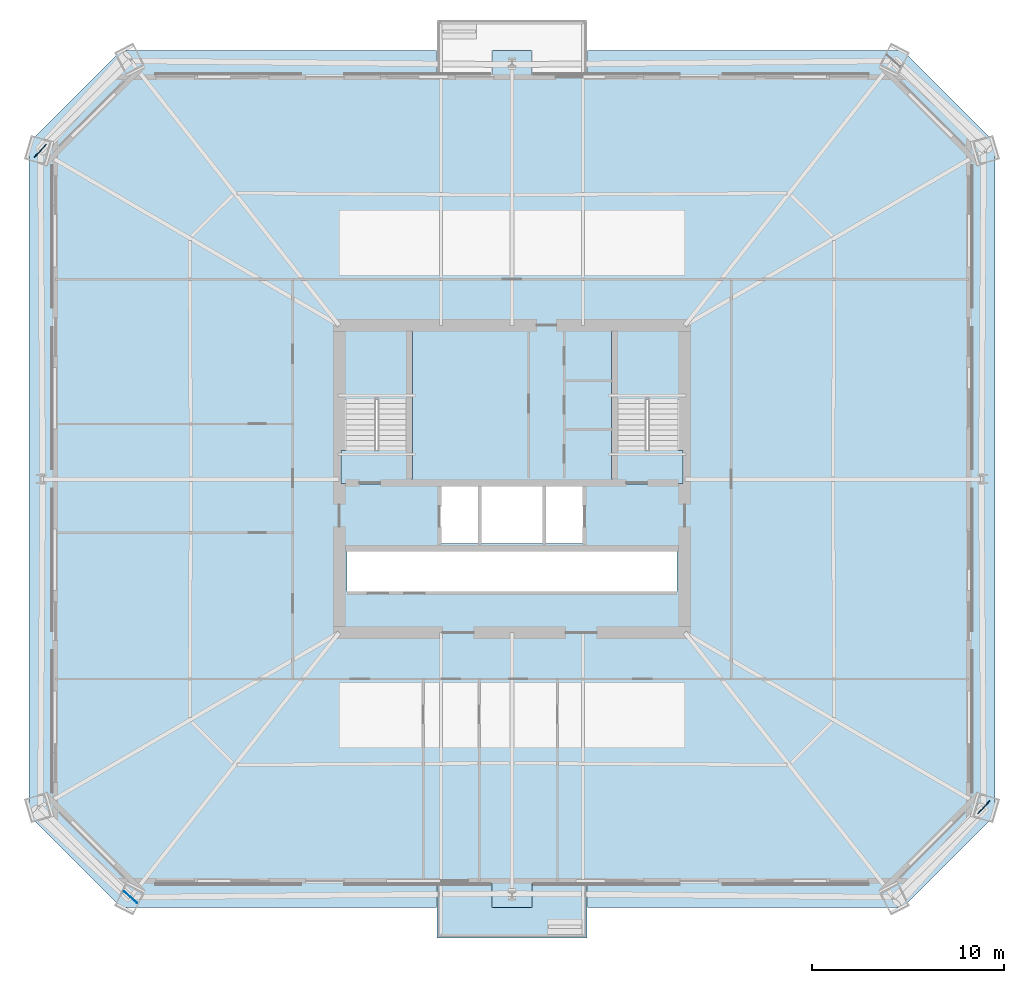
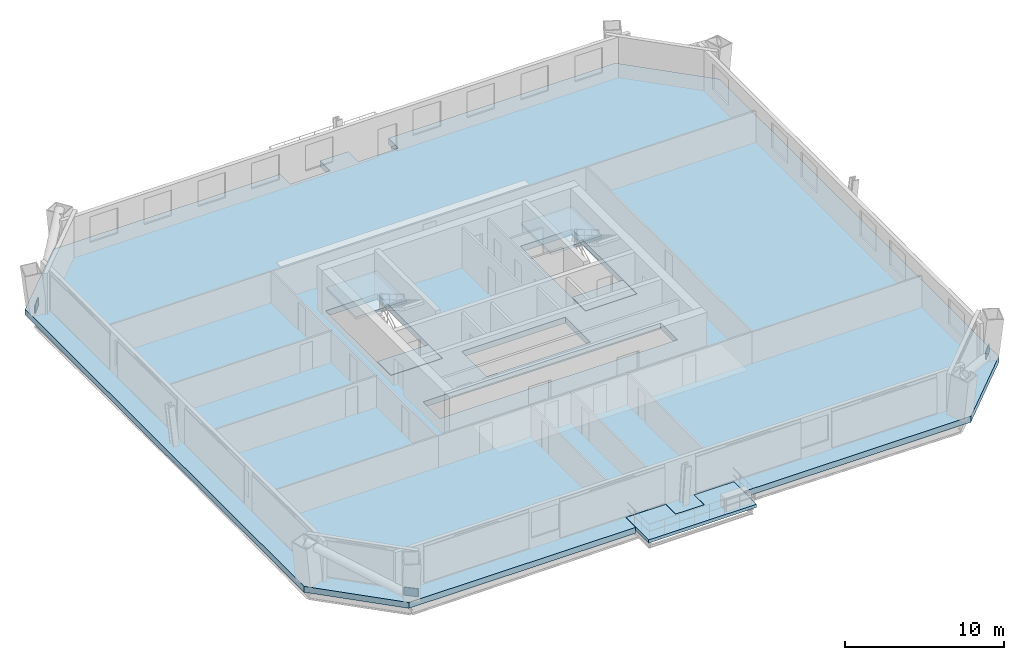
# One storey, part 2 of 8: 6 slabs, 3 plates, 2 elements without a shape of their own.
"""IFC4 building model written with IfcOpenShell, lengths in metres."""

from ifc_helpers import new_model, si_unit, direction, frame, origin, origin_2d, place, context, subcontext, project, spatial, polyline, rectangle, outline, extrude, material, layer, layer_set, type_object, element, aggregate, save


model = new_model("IFC4")

# Units and contexts
model_context = context("Model", 3, precision=1e-05, world=origin(), true_north=direction((0.0, 1.0)))
body_context = subcontext(model_context, "Body", "Model", "MODEL_VIEW")
ifc_project = project(units=[si_unit("LENGTHUNIT", "METRE"), si_unit("AREAUNIT", "SQUARE_METRE"), si_unit("VOLUMEUNIT", "CUBIC_METRE"), si_unit("PLANEANGLEUNIT", "RADIAN"), si_unit("MASSUNIT", "GRAM", prefix="KILO")], contexts=[model_context])

# Site, building, storey
site_placement = place(None, origin())
site = spatial("IfcSite", under=ifc_project, at=site_placement, CompositionType="ELEMENT")
building_placement = place(site_placement, origin())
building = spatial("IfcBuilding", under=site, at=building_placement, Name="Caelvoria Tower", CompositionType="ELEMENT")
storey_placement = place(building_placement, frame((0.0, 0.0, 46.0)))
storey = spatial("IfcBuildingStorey", under=building, at=storey_placement, Name="L11", CompositionType="ELEMENT", Elevation=46.0)

# Plates
ifc_material_1 = material(Name="Structural Steel ASTM A572 Gr.50", Category="steel")
ifc_layer_1 = layer(ifc_material_1, 0.0400390625, Name="Structural Steel ASTM A572 Gr.50")
ifc_layer_set_1 = layer_set([ifc_layer_1], Name="Megaframe Node Gusset Plate 900x600x40 - Structural Steel ASTM A572 Gr.50")
plate_type = type_object("IfcPlateType", Name="Megaframe Node Gusset Plate 900x600x40", PredefinedType="USERDEFINED", material=ifc_layer_set_1)
for number, where, z_axis, x_axis, name in (
    (1, (70.55908203125, 14.9111328125, 0.02001953125), (0.0, 0.0, 1.0), (-0.674080675398, -0.738657730654, 0.0), "Chamfer Mega Brace Gusset L11 SE"),
    (2, (21.44091796875, 49.0888671875, 0.02001953125), (0.0, 0.0, 1.0), (0.674080675398, 0.738657730654, 0.0), "Chamfer Mega Brace Gusset L11 NW"),
    (3, (26.13525390625, 10.231689453125, 0.02001953125), (0.0, 0.0, 1.0), (-0.740456301818, 0.672104504596, 0.0), "Chamfer Mega Brace Gusset L11 SW"),
):
    element("IfcPlate", number, at=place(storey_placement, frame(where, z_axis=z_axis, x_axis=x_axis)), inside=storey, type_object=plate_type, Name=name, ObjectType="GUSSET_PLATE", PredefinedType="USERDEFINED", context=body_context, shape_type="SweptSolid", body=[
        extrude(rectangle(XDim=0.89990234375, YDim=0.0400390625, at=origin_2d()), origin(), (0.0, 0.0, 1.0), 0.60009765625),
    ])

# Slab
ifc_material_2 = material(Name="Concrete C50/60", Category="concrete")
ifc_layer_2 = layer(ifc_material_2, 0.449951171875, Name="Concrete C50/60")
ifc_layer_set_2 = layer_set([ifc_layer_2], Name="Podium Transfer Deck Slab 450 - Concrete C50/60")
slab_type_1 = type_object("IfcSlabType", Name="Podium Transfer Deck Slab 450", PredefinedType="FLOOR", material=ifc_layer_set_2)
slab_1_placement = place(storey_placement, frame((0.0, 0.0, -0.449951171875)))
element("IfcSlab", 4, at=slab_1_placement, inside=storey, type_object=slab_type_1, Name="Level L11 Structural Floor Slab", PredefinedType="FLOOR", context=body_context, shape_type="SweptSolid", body=[
    extrude(outline(polyline([(20.85009765625, 49.5), (20.85009765625, 14.5), (25.64990234375, 9.699951171875), (42.080078125, 9.699951171875), (42.080078125, 10.9599609375), (44.97998046875, 10.9599609375), (44.97998046875, 9.699951171875), (47.02001953125, 9.699951171875), (47.02001953125, 10.9599609375), (49.919921875, 10.9599609375), (49.919921875, 9.699951171875), (66.35009765625, 9.699951171875), (71.14990234375, 14.5), (71.14990234375, 49.5), (66.35009765625, 54.300048828125), (49.919921875, 54.300048828125), (49.919921875, 53.0400390625), (47.02001953125, 53.0400390625), (47.02001953125, 54.300048828125), (44.97998046875, 54.300048828125), (44.97998046875, 53.0400390625), (42.080078125, 53.0400390625), (42.080078125, 54.300048828125), (25.64990234375, 54.300048828125), (20.85009765625, 49.5)]), holes=[polyline([(37.080078125, 31.75), (40.820068359375, 31.75), (40.820068359375, 39.919921875), (37.080078125, 39.919921875), (37.080078125, 31.75)]), polyline([(51.179931640625, 31.75), (54.919921875, 31.75), (54.919921875, 39.919921875), (51.179931640625, 39.919921875), (51.179931640625, 31.75)]), polyline([(42.25, 28.64990234375), (49.75, 28.64990234375), (49.75, 31.800048828125), (42.25, 31.800048828125), (42.25, 28.64990234375)]), polyline([(37.39990234375, 26.14990234375), (54.60009765625, 26.14990234375), (54.60009765625, 28.25), (37.39990234375, 28.25), (37.39990234375, 26.14990234375)])]), origin(), (0.0, 0.0, 1.0), 0.449951171875),
])

# Stair, slabs
ifc_material_3 = material(Name="Concrete C40/50", Category="concrete")
stair_type = type_object("IfcStairType", Name="Core Smokeproof Dogleg Stair Concrete C40/50", PredefinedType="HALF_TURN_STAIR", material=ifc_material_3)
stair_1_placement = place(storey_placement, origin())
stair_1 = element("IfcStair", 5, at=stair_1_placement, inside=storey, type_object=stair_type, Name="ST-01 Smokeproof Exit Stair L11", PredefinedType="HALF_TURN_STAIR")
ifc_layer_3 = layer(ifc_material_3, 0.199951171875, Name="Concrete C40/50")
ifc_layer_set_3 = layer_set([ifc_layer_3], Name="Stair Half and Floor Landing Slab 200 Concrete C40/50 - Concrete C40/50")
slab_type_2 = type_object("IfcSlabType", Name="Stair Half and Floor Landing Slab 200 Concrete C40/50", PredefinedType="LANDING", material=ifc_layer_set_3)
slab_2_placement = place(storey_placement, frame((0.0, 0.0, -0.199951171875)))
slab_2 = element("IfcSlab", 6, at=slab_2_placement, type_object=slab_type_2, Name="ST-01 landing 1", PredefinedType="LANDING", context=body_context, shape_type="SweptSolid", body=[
    extrude(outline(polyline([(37.10009765625, 31.77001953125), (40.800048828125, 31.77001953125), (40.800048828125, 33.5), (37.10009765625, 33.5), (37.10009765625, 31.77001953125)])), origin(), (0.0, 0.0, 1.0), 0.199951171875),
])
slab_3_placement = place(storey_placement, frame((0.0, 0.0, 1.60009765625)))
slab_3 = element("IfcSlab", 7, at=slab_3_placement, type_object=slab_type_2, Name="ST-01 landing 2", PredefinedType="LANDING", context=body_context, shape_type="SweptSolid", body=[
    extrude(outline(polyline([(37.10009765625, 36.14990234375), (40.800048828125, 36.14990234375), (40.800048828125, 39.89990234375), (37.10009765625, 39.89990234375), (37.10009765625, 36.14990234375)])), origin(), (0.0, 0.0, 1.0), 0.199951171875),
])
aggregate(stair_1, [slab_2, slab_3])

stair_2_placement = place(storey_placement, origin())
stair_2 = element("IfcStair", 8, at=stair_2_placement, inside=storey, type_object=stair_type, Name="ST-02 Smokeproof Exit Stair L11", PredefinedType="HALF_TURN_STAIR")
slab_4_placement = place(storey_placement, frame((0.0, 0.0, -0.199951171875)))
slab_4 = element("IfcSlab", 9, at=slab_4_placement, type_object=slab_type_2, Name="ST-02 landing 1", PredefinedType="LANDING", context=body_context, shape_type="SweptSolid", body=[
    extrude(outline(polyline([(51.199951171875, 31.77001953125), (54.89990234375, 31.77001953125), (54.89990234375, 33.5), (51.199951171875, 33.5), (51.199951171875, 31.77001953125)])), origin(), (0.0, 0.0, 1.0), 0.199951171875),
])
slab_5_placement = place(storey_placement, frame((0.0, 0.0, 1.60009765625)))
slab_5 = element("IfcSlab", 10, at=slab_5_placement, type_object=slab_type_2, Name="ST-02 landing 2", PredefinedType="LANDING", context=body_context, shape_type="SweptSolid", body=[
    extrude(outline(polyline([(51.199951171875, 36.14990234375), (54.89990234375, 36.14990234375), (54.89990234375, 39.89990234375), (51.199951171875, 39.89990234375), (51.199951171875, 36.14990234375)])), origin(), (0.0, 0.0, 1.0), 0.199951171875),
])
aggregate(stair_2, [slab_4, slab_5])

# Slab
ifc_material_4 = material(Name="Concrete C45/55", Category="concrete")
ifc_layer_4 = layer(ifc_material_4, 0.25, Name="Concrete C45/55")
ifc_layer_set_4 = layer_set([ifc_layer_4], Name="Tree Balcony Structural Planter Slab 250 - Concrete C45/55")
slab_type_3 = type_object("IfcSlabType", Name="Tree Balcony Structural Planter Slab 250", PredefinedType="FLOOR", material=ifc_layer_set_4)
slab_6_placement = place(storey_placement, frame((0.0, 0.0, -0.25)))
element("IfcSlab", 11, at=slab_6_placement, inside=storey, type_object=slab_type_3, Name="Tree Balcony Slab TB-L11-S", PredefinedType="FLOOR", context=body_context, shape_type="SweptSolid", body=[
    extrude(outline(polyline([(49.89990234375, 9.699951171875), (49.89990234375, 10.93994140625), (47.0400390625, 10.93994140625), (47.0400390625, 9.699951171875), (44.9599609375, 9.699951171875), (44.9599609375, 10.93994140625), (42.10009765625, 10.93994140625), (42.10009765625, 9.699951171875), (42.10009765625, 8.10009765625), (49.89990234375, 8.10009765625), (49.89990234375, 9.699951171875)])), origin(), (0.0, 0.0, 1.0), 0.25),
])

save(model, "model.ifc")
